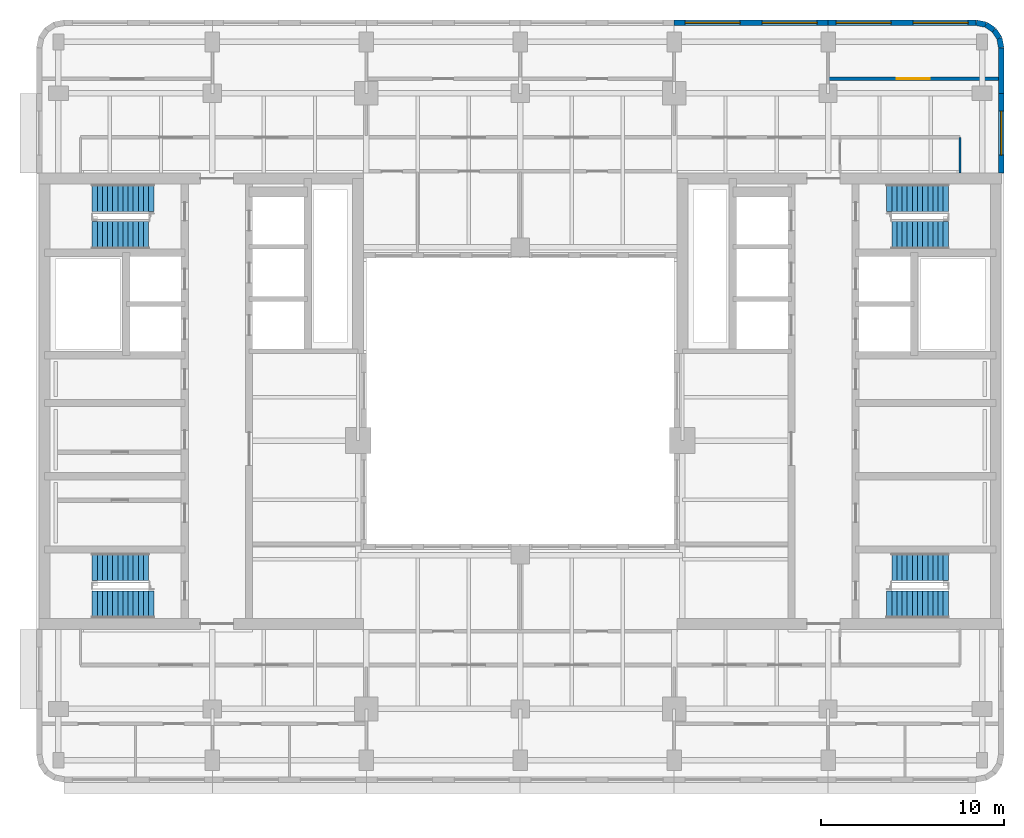
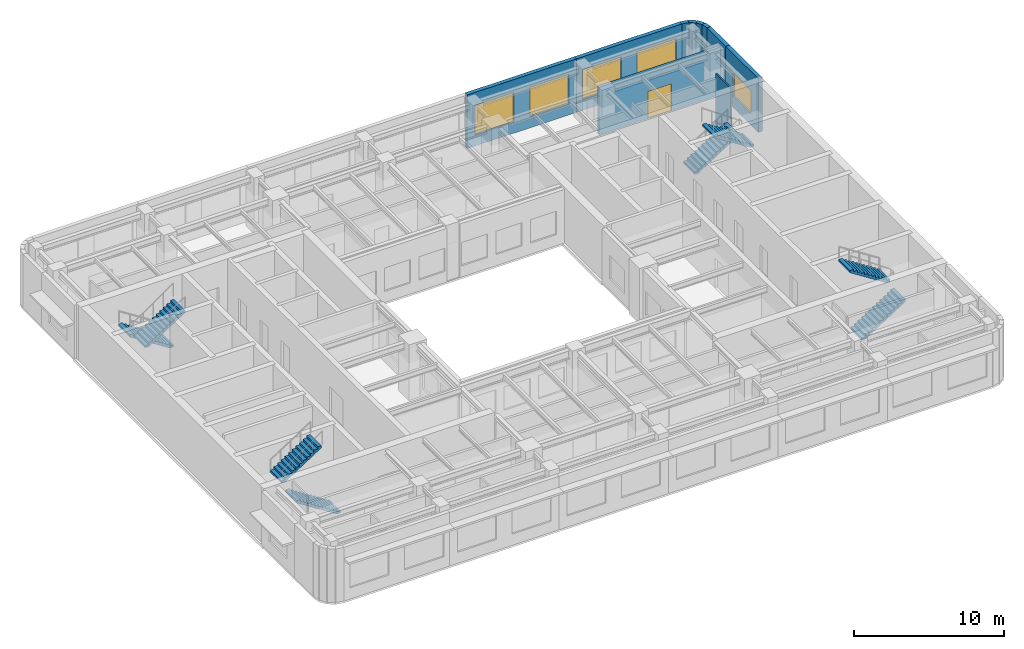
# One storey, part 8 of 11: 10 walls, 8 stair flights, 5 windows, 1 door, 6 openings, 4 elements without a shape of their own.
"""IFC4 building model written with IfcOpenShell, lengths in metres."""

from ifc_helpers import new_model, si_unit, direction, frame, frame_2d, origin, place, context, subcontext, project, spatial, polyline, rectangle, outline, extrude, material, layer, layer_set, type_object, element, fill, aggregate, save


model = new_model("IFC4")

# Units and contexts
model_context = context("Model", 3, precision=1e-05, world=origin(), true_north=direction((0.0, 1.0)))
body_context = subcontext(model_context, "Body", "Model", "MODEL_VIEW")
ifc_project = project(units=[si_unit("LENGTHUNIT", "METRE"), si_unit("AREAUNIT", "SQUARE_METRE"), si_unit("VOLUMEUNIT", "CUBIC_METRE"), si_unit("PLANEANGLEUNIT", "RADIAN"), si_unit("MASSUNIT", "GRAM", prefix="KILO")], contexts=[model_context])

# Site, building, storey
site_placement = place(None, origin())
site = spatial("IfcSite", under=ifc_project, at=site_placement, CompositionType="ELEMENT")
building_placement = place(site_placement, origin())
building = spatial("IfcBuilding", under=site, at=building_placement, Name="Claustro Exchange Tower", CompositionType="ELEMENT")
storey_placement = place(building_placement, frame((0.0, 0.0, 259.199951171875)))
storey = spatial("IfcBuildingStorey", under=building, at=storey_placement, Name="L59", CompositionType="ELEMENT", Elevation=259.199951171875)

# Wall
ifc_material_1 = material(Name="Laminated glass in aluminium frame", Category="aluminium")
ifc_layer_1 = layer(ifc_material_1, 0.1201171875)
ifc_layer_set_1 = layer_set([ifc_layer_1], Name="Laminated glass in aluminium frame")
wall_type_1 = type_object("IfcWallType", Name="P2 120 glazed partition", PredefinedType="PARTITIONING", material=ifc_layer_set_1)
wall_1_placement = place(storey_placement, frame((49.199951171875, 37.64794921875, 0.0), z_axis=(0.0, 0.0, 1.0), x_axis=(0.0, 1.0, 0.0)))
element("IfcWall", 1, at=wall_1_placement, inside=storey, type_object=wall_type_1, Name="Partition P2 L59", PredefinedType="PARTITIONING", context=body_context, shape_type="SweptSolid", body=[
    extrude(rectangle(XDim=1.9521484375, YDim=0.1201171875, at=frame_2d((0.97607421875, 0.0))), origin(), (0.0, 0.0, 1.0), 4.35009765625),
])

# Wall, opening, door
ifc_material_2 = material(Name="Twin-skin gypsum board on steel studs, mineral wool", Category="steel")
ifc_layer_2 = layer(ifc_material_2, 0.199951171875)
ifc_layer_set_2 = layer_set([ifc_layer_2], Name="Twin-skin gypsum board on steel studs, mineral wool")
wall_type_2 = type_object("IfcWallType", Name="P3 200 acoustic partition", PredefinedType="PARTITIONING", material=ifc_layer_set_2)
wall_2_placement = place(storey_placement, frame((42.0, 42.800048828125, 0.0), z_axis=(0.0, 0.0, 1.0), x_axis=(1.0, 0.0, 0.0)))
wall_2 = element("IfcWall", 2, at=wall_2_placement, inside=storey, type_object=wall_type_2, Name="Partition P3 L59", PredefinedType="PARTITIONING", context=body_context, shape_type="SweptSolid", body=[
    extrude(rectangle(XDim=9.302001953125, YDim=0.199951171875, at=frame_2d((4.65087890625, 0.0))), origin(), (0.0, 0.0, 1.0), 3.860107421875),
])
opening_1_placement = place(wall_2_placement, frame((3.75, 0.0, 0.0)))
opening_1 = element("IfcOpeningElement", 3, at=opening_1_placement, cuts=wall_2, Name="Opening D2", PredefinedType="OPENING", context=body_context, shape_type="SweptSolid", body=[
    extrude(rectangle(XDim=1.800048828125, YDim=2.199951171875, at=frame_2d((0.89990234375, 1.10009765625))), frame((0.0, 0.10986328125, 0.0), z_axis=(0.0, -1.0, 0.0), x_axis=(1.0, 0.0, 0.0)), (0.0, 0.0, 1.0), 0.219970703125),
])
ifc_material_3 = material(Name="Timber door, oak veneer", Category="wood")
door_type = type_object("IfcDoorType", Name="D2 1800 x 2200 double door", OperationType="DOUBLE_DOOR_SINGLE_SWING", PredefinedType="DOOR", material=ifc_material_3)
door_placement = place(opening_1_placement, origin())
door = element("IfcDoor", 4, at=door_placement, inside=storey, type_object=door_type, Name="Double door D2 L59", OperationType="DOUBLE_DOOR_SINGLE_SWING", OverallHeight=2.199951171875, OverallWidth=1.800048828125, PredefinedType="DOOR", context=body_context, shape_type="SweptSolid", body=[
    extrude(rectangle(XDim=1.800048828125, YDim=2.199951171875, at=frame_2d((0.89990234375, 1.10009765625))), frame((0.0, 0.02490234375, 0.0), z_axis=(0.0, -1.0, 0.0), x_axis=(1.0, 0.0, 0.0)), (0.0, 0.0, 1.0), 0.050048828125),
])
fill(opening_1, door)

# Wall, openings, windows
ifc_material_4 = material(Name="Concrete HA-40 (C40/50), precast, white cement, acid-etched", Category="concrete")
ifc_layer_3 = layer(ifc_material_4, 0.300048828125)
ifc_layer_set_3 = layer_set([ifc_layer_3], Name="Concrete HA-40 (C40/50), precast, white cement, acid-etched")
wall_type_3 = type_object("IfcWallType", Name="PC1 300 precast concrete pier panel", PredefinedType="SOLIDWALL", material=ifc_layer_set_3)
wall_3_placement = place(storey_placement, frame((33.60009765625, 45.85009765625, 0.0), z_axis=(0.0, 0.0, 1.0), x_axis=(1.0, 0.0, 0.0)))
wall_3 = element("IfcWall", 5, at=wall_3_placement, inside=storey, type_object=wall_type_3, Name="Precast pier panel PC1 L59", PredefinedType="SOLIDWALL", context=body_context, shape_type="SweptSolid", body=[
    extrude(rectangle(XDim=8.39990234375, YDim=0.300048828125, at=frame_2d((4.199951171875, 0.0))), origin(), (0.0, 0.0, 1.0), 4.35009765625),
])
opening_2_placement = place(wall_3_placement, frame((0.60009765625, 0.0, 0.89990234375)))
opening_2 = element("IfcOpeningElement", 6, at=opening_2_placement, cuts=wall_3, Name="Opening W3", PredefinedType="OPENING", context=body_context, shape_type="SweptSolid", body=[
    extrude(rectangle(XDim=3.0, YDim=2.39990234375, at=frame_2d((1.5, 1.199951171875))), frame((0.0, 0.159912109375, 0.0), z_axis=(0.0, -1.0, 0.0), x_axis=(1.0, 0.0, 0.0)), (0.0, 0.0, 1.0), 0.320068359375),
])
opening_3_placement = place(wall_3_placement, frame((4.800048828125, 0.0, 0.89990234375)))
opening_3 = element("IfcOpeningElement", 7, at=opening_3_placement, cuts=wall_3, Name="Opening W3", PredefinedType="OPENING", context=body_context, shape_type="SweptSolid", body=[
    extrude(rectangle(XDim=3.0, YDim=2.39990234375, at=frame_2d((1.5, 1.199951171875))), frame((0.0, 0.159912109375, 0.0), z_axis=(0.0, -1.0, 0.0), x_axis=(1.0, 0.0, 0.0)), (0.0, 0.0, 1.0), 0.320068359375),
])
ifc_material_5 = material(Name="Aluminium frame, clear double glazing", Category="aluminium")
window_type_1 = type_object("IfcWindowType", Name="W3 3000 x 2400 window", PartitioningType="SINGLE_PANEL", PredefinedType="WINDOW", material=ifc_material_5)
window_1_placement = place(opening_2_placement, origin())
window_1 = element("IfcWindow", 8, at=window_1_placement, inside=storey, type_object=window_type_1, Name="Window W3 L59", OverallHeight=2.39990234375, OverallWidth=3.0, PartitioningType="SINGLE_PANEL", PredefinedType="WINDOW", context=body_context, shape_type="SweptSolid", body=[
    extrude(rectangle(XDim=3.0, YDim=2.39990234375, at=frame_2d((1.5, 1.199951171875))), frame((0.0, 0.030029296875, 0.0), z_axis=(0.0, -1.0, 0.0), x_axis=(1.0, 0.0, 0.0)), (0.0, 0.0, 1.0), 0.06005859375),
])
fill(opening_2, window_1)
window_2_placement = place(opening_3_placement, origin())
window_2 = element("IfcWindow", 9, at=window_2_placement, inside=storey, type_object=window_type_1, Name="Window W3 L59", OverallHeight=2.39990234375, OverallWidth=3.0, PartitioningType="SINGLE_PANEL", PredefinedType="WINDOW", context=body_context, shape_type="SweptSolid", body=[
    extrude(rectangle(XDim=3.0, YDim=2.39990234375, at=frame_2d((1.5, 1.199951171875))), frame((0.0, 0.030029296875, 0.0), z_axis=(0.0, -1.0, 0.0), x_axis=(1.0, 0.0, 0.0)), (0.0, 0.0, 1.0), 0.06005859375),
])
fill(opening_3, window_2)

wall_4_placement = place(storey_placement, frame((42.0, 45.85009765625, 0.0), z_axis=(0.0, 0.0, 1.0), x_axis=(1.0, 0.0, 0.0)))
wall_4 = element("IfcWall", 10, at=wall_4_placement, inside=storey, type_object=wall_type_3, Name="Precast pier panel PC1 L59", PredefinedType="SOLIDWALL", context=body_context, shape_type="SweptSolid", body=[
    extrude(rectangle(XDim=8.085205078125, YDim=0.300048828125, at=frame_2d((4.04248046875, 0.0))), origin(), (0.0, 0.0, 1.0), 4.35009765625),
])
opening_4_placement = place(wall_4_placement, frame((0.442626953125, 0.0, 0.89990234375)))
opening_4 = element("IfcOpeningElement", 11, at=opening_4_placement, cuts=wall_4, Name="Opening W3", PredefinedType="OPENING", context=body_context, shape_type="SweptSolid", body=[
    extrude(rectangle(XDim=3.0, YDim=2.39990234375, at=frame_2d((1.5, 1.199951171875))), frame((0.0, 0.159912109375, 0.0), z_axis=(0.0, -1.0, 0.0), x_axis=(1.0, 0.0, 0.0)), (0.0, 0.0, 1.0), 0.320068359375),
])
opening_5_placement = place(wall_4_placement, frame((4.642578125, 0.0, 0.89990234375)))
opening_5 = element("IfcOpeningElement", 12, at=opening_5_placement, cuts=wall_4, Name="Opening W3", PredefinedType="OPENING", context=body_context, shape_type="SweptSolid", body=[
    extrude(rectangle(XDim=3.0, YDim=2.39990234375, at=frame_2d((1.5, 1.199951171875))), frame((0.0, 0.159912109375, 0.0), z_axis=(0.0, -1.0, 0.0), x_axis=(1.0, 0.0, 0.0)), (0.0, 0.0, 1.0), 0.320068359375),
])
window_3_placement = place(opening_4_placement, origin())
window_3 = element("IfcWindow", 13, at=window_3_placement, inside=storey, type_object=window_type_1, Name="Window W3 L59", OverallHeight=2.39990234375, OverallWidth=3.0, PartitioningType="SINGLE_PANEL", PredefinedType="WINDOW", context=body_context, shape_type="SweptSolid", body=[
    extrude(rectangle(XDim=3.0, YDim=2.39990234375, at=frame_2d((1.5, 1.199951171875))), frame((0.0, 0.030029296875, 0.0), z_axis=(0.0, -1.0, 0.0), x_axis=(1.0, 0.0, 0.0)), (0.0, 0.0, 1.0), 0.06005859375),
])
fill(opening_4, window_3)
window_4_placement = place(opening_5_placement, origin())
window_4 = element("IfcWindow", 14, at=window_4_placement, inside=storey, type_object=window_type_1, Name="Window W3 L59", OverallHeight=2.39990234375, OverallWidth=3.0, PartitioningType="SINGLE_PANEL", PredefinedType="WINDOW", context=body_context, shape_type="SweptSolid", body=[
    extrude(rectangle(XDim=3.0, YDim=2.39990234375, at=frame_2d((1.5, 1.199951171875))), frame((0.0, 0.030029296875, 0.0), z_axis=(0.0, -1.0, 0.0), x_axis=(1.0, 0.0, 0.0)), (0.0, 0.0, 1.0), 0.06005859375),
])
fill(opening_5, window_4)

# Walls
wall_5_placement = place(storey_placement, frame((50.085205078125, 45.85009765625, 0.0), z_axis=(0.0, 0.0, 1.0), x_axis=(0.980702050465, -0.1955082817, 0.0)))
element("IfcWall", 15, at=wall_5_placement, inside=storey, type_object=wall_type_3, Name="Precast pier panel PC1 L59", PredefinedType="SOLIDWALL", context=body_context, shape_type="SweptSolid", body=[
    extrude(rectangle(XDim=0.540771484375, YDim=0.300048828125, at=frame_2d((0.2705078125, 0.0))), origin(), (0.0, 0.0, 1.0), 4.35009765625),
])
wall_6_placement = place(storey_placement, frame((50.615478515625, 45.744384765625, 0.0), z_axis=(0.0, 0.0, 1.0), x_axis=(0.831692711774, -0.555236195849, 0.0)))
element("IfcWall", 16, at=wall_6_placement, inside=storey, type_object=wall_type_3, Name="Precast pier panel PC1 L59", PredefinedType="SOLIDWALL", context=body_context, shape_type="SweptSolid", body=[
    extrude(rectangle(XDim=0.525390625, YDim=0.300048828125, at=frame_2d((0.2626953125, 0.0))), origin(), (0.0, 0.0, 1.0), 4.35009765625),
])
wall_7_placement = place(storey_placement, frame((51.052490234375, 45.45263671875, 0.0), z_axis=(0.0, 0.0, 1.0), x_axis=(0.55534295404, -0.831621430339, 0.0)))
element("IfcWall", 17, at=wall_7_placement, inside=storey, type_object=wall_type_3, Name="Precast pier panel PC1 L59", PredefinedType="SOLIDWALL", context=body_context, shape_type="SweptSolid", body=[
    extrude(rectangle(XDim=0.52587890625, YDim=0.300048828125, at=frame_2d((0.262939453125, 0.0))), origin(), (0.0, 0.0, 1.0), 4.35009765625),
])
wall_8_placement = place(storey_placement, frame((51.344482421875, 45.015380859375, 0.0), z_axis=(0.0, 0.0, 1.0), x_axis=(0.195073962632, -0.980788534345, 0.0)))
element("IfcWall", 18, at=wall_8_placement, inside=storey, type_object=wall_type_3, Name="Precast pier panel PC1 L59", PredefinedType="SOLIDWALL", context=body_context, shape_type="SweptSolid", body=[
    extrude(rectangle(XDim=0.540771484375, YDim=0.300048828125, at=frame_2d((0.2705078125, 0.0))), origin(), (0.0, 0.0, 1.0), 4.35009765625),
])
wall_9_placement = place(storey_placement, frame((51.449951171875, 44.485107421875, 0.0), z_axis=(0.0, 0.0, 1.0), x_axis=(0.0, -1.0, 0.0)))
element("IfcWall", 19, at=wall_9_placement, inside=storey, type_object=wall_type_3, Name="Precast pier panel PC1 L59", PredefinedType="SOLIDWALL", context=body_context, shape_type="SweptSolid", body=[
    extrude(rectangle(XDim=2.485107421875, YDim=0.300048828125, at=frame_2d((1.24267578125, 0.0))), origin(), (0.0, 0.0, 1.0), 4.35009765625),
])

# Wall, opening, window
wall_10_placement = place(storey_placement, frame((51.449951171875, 42.0, 0.0), z_axis=(0.0, 0.0, 1.0), x_axis=(0.0, -1.0, 0.0)))
wall_10 = element("IfcWall", 20, at=wall_10_placement, inside=storey, type_object=wall_type_3, Name="Precast pier panel PC1 L59", PredefinedType="SOLIDWALL", context=body_context, shape_type="SweptSolid", body=[
    extrude(rectangle(XDim=4.35009765625, YDim=0.300048828125, at=frame_2d((2.175048828125, 0.0))), origin(), (0.0, 0.0, 1.0), 4.35009765625),
])
opening_6_placement = place(wall_10_placement, frame((0.97509765625, 0.0, 0.89990234375)))
opening_6 = element("IfcOpeningElement", 21, at=opening_6_placement, cuts=wall_10, Name="Opening W2", PredefinedType="OPENING", context=body_context, shape_type="SweptSolid", body=[
    extrude(rectangle(XDim=2.39990234375, YDim=1.89990234375, at=frame_2d((1.199951171875, 0.949951171875))), frame((0.0, 0.159912109375, 0.0), z_axis=(0.0, -1.0, 0.0), x_axis=(1.0, 0.0, 0.0)), (0.0, 0.0, 1.0), 0.320068359375),
])
ifc_material_6 = material(Name="Aluminium frame, clear double glazing", Category="aluminium")
window_type_2 = type_object("IfcWindowType", Name="W2 2400 x 1900 window", PartitioningType="SINGLE_PANEL", PredefinedType="WINDOW", material=ifc_material_6)
window_5_placement = place(opening_6_placement, origin())
window_5 = element("IfcWindow", 22, at=window_5_placement, inside=storey, type_object=window_type_2, Name="Window W2 L59", OverallHeight=1.89990234375, OverallWidth=2.39990234375, PartitioningType="SINGLE_PANEL", PredefinedType="WINDOW", context=body_context, shape_type="SweptSolid", body=[
    extrude(rectangle(XDim=2.39990234375, YDim=1.89990234375, at=frame_2d((1.199951171875, 0.949951171875))), frame((0.0, 0.030029296875, 0.0), z_axis=(0.0, -1.0, 0.0), x_axis=(1.0, 0.0, 0.0)), (0.0, 0.0, 1.0), 0.06005859375),
])
fill(opening_6, window_5)

# Stair, stair flight
ifc_material_7 = material(Name="Concrete HA-30 (C30/37), precast", Category="concrete")
stair_type = type_object("IfcStairType", Name="ST2 half-turn stair, 25 risers of 180", PredefinedType="HALF_TURN_STAIR", material=ifc_material_7)
stair_1_placement = place(storey_placement, origin())
stair_1 = element("IfcStair", 23, at=stair_1_placement, inside=storey, type_object=stair_type, Name="Stair STWA L59", PredefinedType="HALF_TURN_STAIR")
ifc_material_8 = material(Name="Concrete HA-30 (C30/37), precast", Category="concrete")
stair_flight_type_1 = type_object("IfcStairFlightType", Name="SF12B straight flight, 12 risers of 180, 1500 wide", PredefinedType="STRAIGHT", material=ifc_material_8)
stair_flight_1_placement = place(storey_placement, frame((1.840087890625, 16.14990234375, 2.340087890625), z_axis=(0.0, 0.0, 1.0), x_axis=(1.0, 0.0, 0.0)))
stair_flight_1 = element("IfcStairFlight", 24, at=stair_flight_1_placement, type_object=stair_flight_type_1, Name="STWA flight 2", NumberOfRisers=12, NumberOfTreads=11, PredefinedType="STRAIGHT", RiserHeight=0.18, TreadLength=0.28, context=body_context, shape_type="SweptSolid", body=[
    extrude(outline(polyline([(0.0, 0.0), (0.0, 0.179931640625), (0.280029296875, 0.179931640625), (0.280029296875, 0.360107421875), (0.56005859375, 0.360107421875), (0.56005859375, 0.5400390625), (0.840087890625, 0.5400390625), (0.840087890625, 0.719970703125), (1.1201171875, 0.719970703125), (1.1201171875, 0.89990234375), (1.39990234375, 0.89990234375), (1.39990234375, 1.080078125), (1.679931640625, 1.080078125), (1.679931640625, 1.260009765625), (1.9599609375, 1.260009765625), (1.9599609375, 1.43994140625), (2.239990234375, 1.43994140625), (2.239990234375, 1.6201171875), (2.52001953125, 1.6201171875), (2.52001953125, 1.800048828125), (2.800048828125, 1.800048828125), (2.800048828125, 1.97998046875), (3.080078125, 1.97998046875), (3.080078125, 2.159912109375), (3.080078125, 1.8017578125), (0.277099609375, 0.0), (0.0, 0.0)])), frame((0.0, 0.75, 0.0), z_axis=(0.0, -1.0, 0.0), x_axis=(1.0, 0.0, 0.0)), (0.0, 0.0, 1.0), 1.5),
])

stair_2_placement = place(storey_placement, origin())
stair_2 = element("IfcStair", 25, at=stair_2_placement, inside=storey, type_object=stair_type, Name="Stair STWB L59", PredefinedType="HALF_TURN_STAIR")
stair_flight_2_placement = place(storey_placement, frame((1.840087890625, 34.25, 2.340087890625), z_axis=(0.0, 0.0, 1.0), x_axis=(1.0, 0.0, 0.0)))
stair_flight_2 = element("IfcStairFlight", 26, at=stair_flight_2_placement, type_object=stair_flight_type_1, Name="STWB flight 2", NumberOfRisers=12, NumberOfTreads=11, PredefinedType="STRAIGHT", RiserHeight=0.18, TreadLength=0.28, context=body_context, shape_type="SweptSolid", body=[
    extrude(outline(polyline([(0.0, 0.0), (0.0, 0.179931640625), (0.280029296875, 0.179931640625), (0.280029296875, 0.360107421875), (0.56005859375, 0.360107421875), (0.56005859375, 0.5400390625), (0.840087890625, 0.5400390625), (0.840087890625, 0.719970703125), (1.1201171875, 0.719970703125), (1.1201171875, 0.89990234375), (1.39990234375, 0.89990234375), (1.39990234375, 1.080078125), (1.679931640625, 1.080078125), (1.679931640625, 1.260009765625), (1.9599609375, 1.260009765625), (1.9599609375, 1.43994140625), (2.239990234375, 1.43994140625), (2.239990234375, 1.6201171875), (2.52001953125, 1.6201171875), (2.52001953125, 1.800048828125), (2.800048828125, 1.800048828125), (2.800048828125, 1.97998046875), (3.080078125, 1.97998046875), (3.080078125, 2.159912109375), (3.080078125, 1.8017578125), (0.277099609375, 0.0), (0.0, 0.0)])), frame((0.0, 0.75, 0.0), z_axis=(0.0, -1.0, 0.0), x_axis=(1.0, 0.0, 0.0)), (0.0, 0.0, 1.0), 1.5),
])

stair_3_placement = place(storey_placement, origin())
stair_3 = element("IfcStair", 27, at=stair_3_placement, inside=storey, type_object=stair_type, Name="Stair STEA L59", PredefinedType="HALF_TURN_STAIR")
stair_flight_3_placement = place(storey_placement, frame((48.56005859375, 16.14990234375, 2.340087890625), z_axis=(0.0, 0.0, 1.0), x_axis=(-1.0, 0.0, 0.0)))
stair_flight_3 = element("IfcStairFlight", 28, at=stair_flight_3_placement, type_object=stair_flight_type_1, Name="STEA flight 2", NumberOfRisers=12, NumberOfTreads=11, PredefinedType="STRAIGHT", RiserHeight=0.18, TreadLength=0.28, context=body_context, shape_type="SweptSolid", body=[
    extrude(outline(polyline([(0.0, 0.0), (0.0, 0.179931640625), (0.280029296875, 0.179931640625), (0.280029296875, 0.360107421875), (0.56005859375, 0.360107421875), (0.56005859375, 0.5400390625), (0.840087890625, 0.5400390625), (0.840087890625, 0.719970703125), (1.1201171875, 0.719970703125), (1.1201171875, 0.89990234375), (1.39990234375, 0.89990234375), (1.39990234375, 1.080078125), (1.679931640625, 1.080078125), (1.679931640625, 1.260009765625), (1.9599609375, 1.260009765625), (1.9599609375, 1.43994140625), (2.239990234375, 1.43994140625), (2.239990234375, 1.6201171875), (2.52001953125, 1.6201171875), (2.52001953125, 1.800048828125), (2.800048828125, 1.800048828125), (2.800048828125, 1.97998046875), (3.080078125, 1.97998046875), (3.080078125, 2.159912109375), (3.080078125, 1.8017578125), (0.277099609375, 0.0), (0.0, 0.0)])), frame((0.0, 0.75, 0.0), z_axis=(0.0, -1.0, 0.0), x_axis=(1.0, 0.0, 0.0)), (0.0, 0.0, 1.0), 1.5),
])

stair_4_placement = place(storey_placement, origin())
stair_4 = element("IfcStair", 29, at=stair_4_placement, inside=storey, type_object=stair_type, Name="Stair STEB L59", PredefinedType="HALF_TURN_STAIR")
stair_flight_4_placement = place(storey_placement, frame((48.56005859375, 34.25, 2.340087890625), z_axis=(0.0, 0.0, 1.0), x_axis=(-1.0, 0.0, 0.0)))
stair_flight_4 = element("IfcStairFlight", 30, at=stair_flight_4_placement, type_object=stair_flight_type_1, Name="STEB flight 2", NumberOfRisers=12, NumberOfTreads=11, PredefinedType="STRAIGHT", RiserHeight=0.18, TreadLength=0.28, context=body_context, shape_type="SweptSolid", body=[
    extrude(outline(polyline([(0.0, 0.0), (0.0, 0.179931640625), (0.280029296875, 0.179931640625), (0.280029296875, 0.360107421875), (0.56005859375, 0.360107421875), (0.56005859375, 0.5400390625), (0.840087890625, 0.5400390625), (0.840087890625, 0.719970703125), (1.1201171875, 0.719970703125), (1.1201171875, 0.89990234375), (1.39990234375, 0.89990234375), (1.39990234375, 1.080078125), (1.679931640625, 1.080078125), (1.679931640625, 1.260009765625), (1.9599609375, 1.260009765625), (1.9599609375, 1.43994140625), (2.239990234375, 1.43994140625), (2.239990234375, 1.6201171875), (2.52001953125, 1.6201171875), (2.52001953125, 1.800048828125), (2.800048828125, 1.800048828125), (2.800048828125, 1.97998046875), (3.080078125, 1.97998046875), (3.080078125, 2.159912109375), (3.080078125, 1.8017578125), (0.277099609375, 0.0), (0.0, 0.0)])), frame((0.0, 0.75, 0.0), z_axis=(0.0, -1.0, 0.0), x_axis=(1.0, 0.0, 0.0)), (0.0, 0.0, 1.0), 1.5),
])

# Stair flight
ifc_material_9 = material(Name="Concrete HA-30 (C30/37), precast", Category="concrete")
stair_flight_type_2 = type_object("IfcStairFlightType", Name="SF13 straight flight, 13 risers of 180, 1500 wide", PredefinedType="STRAIGHT", material=ifc_material_9)
stair_flight_5_placement = place(storey_placement, frame((5.199951171875, 14.10009765625, 0.0), z_axis=(0.0, 0.0, 1.0), x_axis=(-1.0, 0.0, 0.0)))
stair_flight_5 = element("IfcStairFlight", 31, at=stair_flight_5_placement, type_object=stair_flight_type_2, Name="STWA flight 1", NumberOfRisers=13, NumberOfTreads=12, PredefinedType="STRAIGHT", RiserHeight=0.18, TreadLength=0.28, context=body_context, shape_type="SweptSolid", body=[
    extrude(outline(polyline([(0.0, 0.0), (0.0, 0.179931640625), (0.280029296875, 0.179931640625), (0.280029296875, 0.360107421875), (0.56005859375, 0.360107421875), (0.56005859375, 0.5400390625), (0.840087890625, 0.5400390625), (0.840087890625, 0.719970703125), (1.1201171875, 0.719970703125), (1.1201171875, 0.89990234375), (1.39990234375, 0.89990234375), (1.39990234375, 1.080078125), (1.679931640625, 1.080078125), (1.679931640625, 1.260009765625), (1.9599609375, 1.260009765625), (1.9599609375, 1.43994140625), (2.239990234375, 1.43994140625), (2.239990234375, 1.6201171875), (2.52001953125, 1.6201171875), (2.52001953125, 1.800048828125), (2.800048828125, 1.800048828125), (2.800048828125, 1.97998046875), (3.080078125, 1.97998046875), (3.080078125, 2.159912109375), (3.360107421875, 2.159912109375), (3.360107421875, 2.340087890625), (3.360107421875, 1.981689453125), (0.277099609375, 0.0), (0.0, 0.0)])), frame((0.0, 0.75, 0.0), z_axis=(0.0, -1.0, 0.0), x_axis=(1.0, 0.0, 0.0)), (0.0, 0.0, 1.0), 1.5),
])

aggregate(stair_1, [stair_flight_5, stair_flight_1])

stair_flight_6_placement = place(storey_placement, frame((5.199951171875, 36.300048828125, 0.0), z_axis=(0.0, 0.0, 1.0), x_axis=(-1.0, 0.0, 0.0)))
stair_flight_6 = element("IfcStairFlight", 32, at=stair_flight_6_placement, type_object=stair_flight_type_2, Name="STWB flight 1", NumberOfRisers=13, NumberOfTreads=12, PredefinedType="STRAIGHT", RiserHeight=0.18, TreadLength=0.28, context=body_context, shape_type="SweptSolid", body=[
    extrude(outline(polyline([(0.0, 0.0), (0.0, 0.179931640625), (0.280029296875, 0.179931640625), (0.280029296875, 0.360107421875), (0.56005859375, 0.360107421875), (0.56005859375, 0.5400390625), (0.840087890625, 0.5400390625), (0.840087890625, 0.719970703125), (1.1201171875, 0.719970703125), (1.1201171875, 0.89990234375), (1.39990234375, 0.89990234375), (1.39990234375, 1.080078125), (1.679931640625, 1.080078125), (1.679931640625, 1.260009765625), (1.9599609375, 1.260009765625), (1.9599609375, 1.43994140625), (2.239990234375, 1.43994140625), (2.239990234375, 1.6201171875), (2.52001953125, 1.6201171875), (2.52001953125, 1.800048828125), (2.800048828125, 1.800048828125), (2.800048828125, 1.97998046875), (3.080078125, 1.97998046875), (3.080078125, 2.159912109375), (3.360107421875, 2.159912109375), (3.360107421875, 2.340087890625), (3.360107421875, 1.981689453125), (0.277099609375, 0.0), (0.0, 0.0)])), frame((0.0, 0.75, 0.0), z_axis=(0.0, -1.0, 0.0), x_axis=(1.0, 0.0, 0.0)), (0.0, 0.0, 1.0), 1.5),
])

aggregate(stair_2, [stair_flight_6, stair_flight_2])

stair_flight_7_placement = place(storey_placement, frame((45.199951171875, 14.10009765625, 0.0), z_axis=(0.0, 0.0, 1.0), x_axis=(1.0, 0.0, 0.0)))
stair_flight_7 = element("IfcStairFlight", 33, at=stair_flight_7_placement, type_object=stair_flight_type_2, Name="STEA flight 1", NumberOfRisers=13, NumberOfTreads=12, PredefinedType="STRAIGHT", RiserHeight=0.18, TreadLength=0.28, context=body_context, shape_type="SweptSolid", body=[
    extrude(outline(polyline([(0.0, 0.0), (0.0, 0.179931640625), (0.280029296875, 0.179931640625), (0.280029296875, 0.360107421875), (0.56005859375, 0.360107421875), (0.56005859375, 0.5400390625), (0.840087890625, 0.5400390625), (0.840087890625, 0.719970703125), (1.1201171875, 0.719970703125), (1.1201171875, 0.89990234375), (1.39990234375, 0.89990234375), (1.39990234375, 1.080078125), (1.679931640625, 1.080078125), (1.679931640625, 1.260009765625), (1.9599609375, 1.260009765625), (1.9599609375, 1.43994140625), (2.239990234375, 1.43994140625), (2.239990234375, 1.6201171875), (2.52001953125, 1.6201171875), (2.52001953125, 1.800048828125), (2.800048828125, 1.800048828125), (2.800048828125, 1.97998046875), (3.080078125, 1.97998046875), (3.080078125, 2.159912109375), (3.360107421875, 2.159912109375), (3.360107421875, 2.340087890625), (3.360107421875, 1.981689453125), (0.277099609375, 0.0), (0.0, 0.0)])), frame((0.0, 0.75, 0.0), z_axis=(0.0, -1.0, 0.0), x_axis=(1.0, 0.0, 0.0)), (0.0, 0.0, 1.0), 1.5),
])

aggregate(stair_3, [stair_flight_7, stair_flight_3])

stair_flight_8_placement = place(storey_placement, frame((45.199951171875, 36.300048828125, 0.0), z_axis=(0.0, 0.0, 1.0), x_axis=(1.0, 0.0, 0.0)))
stair_flight_8 = element("IfcStairFlight", 34, at=stair_flight_8_placement, type_object=stair_flight_type_2, Name="STEB flight 1", NumberOfRisers=13, NumberOfTreads=12, PredefinedType="STRAIGHT", RiserHeight=0.18, TreadLength=0.28, context=body_context, shape_type="SweptSolid", body=[
    extrude(outline(polyline([(0.0, 0.0), (0.0, 0.179931640625), (0.280029296875, 0.179931640625), (0.280029296875, 0.360107421875), (0.56005859375, 0.360107421875), (0.56005859375, 0.5400390625), (0.840087890625, 0.5400390625), (0.840087890625, 0.719970703125), (1.1201171875, 0.719970703125), (1.1201171875, 0.89990234375), (1.39990234375, 0.89990234375), (1.39990234375, 1.080078125), (1.679931640625, 1.080078125), (1.679931640625, 1.260009765625), (1.9599609375, 1.260009765625), (1.9599609375, 1.43994140625), (2.239990234375, 1.43994140625), (2.239990234375, 1.6201171875), (2.52001953125, 1.6201171875), (2.52001953125, 1.800048828125), (2.800048828125, 1.800048828125), (2.800048828125, 1.97998046875), (3.080078125, 1.97998046875), (3.080078125, 2.159912109375), (3.360107421875, 2.159912109375), (3.360107421875, 2.340087890625), (3.360107421875, 1.981689453125), (0.277099609375, 0.0), (0.0, 0.0)])), frame((0.0, 0.75, 0.0), z_axis=(0.0, -1.0, 0.0), x_axis=(1.0, 0.0, 0.0)), (0.0, 0.0, 1.0), 1.5),
])

aggregate(stair_4, [stair_flight_8, stair_flight_4])

save(model, "model.ifc")
